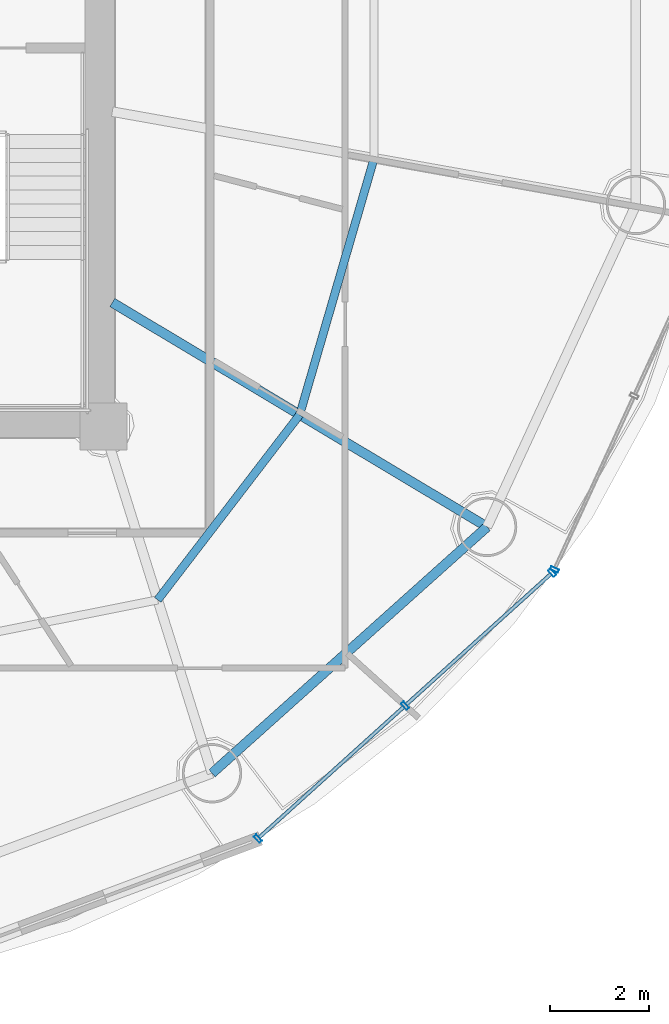
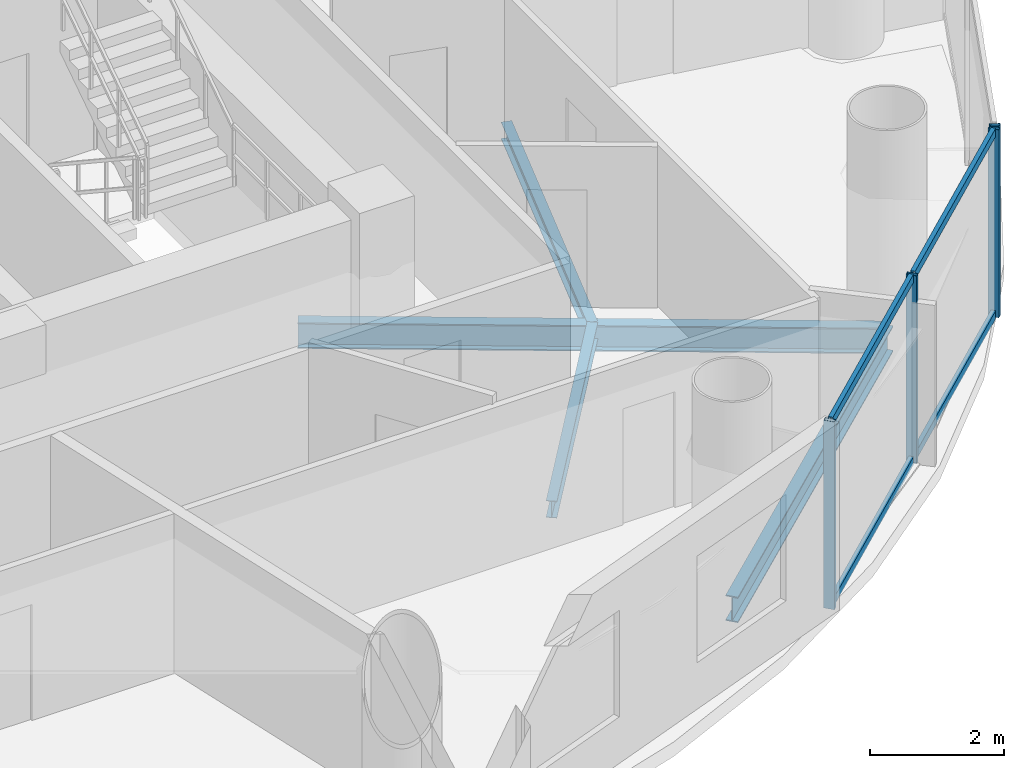
# One storey, part 10 of 27: 8 members, 4 beams, 2 elements without a shape of their own.
"""IFC4 building model written with IfcOpenShell, lengths in metres."""

from ifc_helpers import new_model, si_unit, direction, frame, origin, origin_2d, place, context, subcontext, project, spatial, hollow_rectangle, i_section, extrude, source, transform, mapped, material, material_profile, profile_set, type_object, element, aggregate, save


model = new_model("IFC4")

# Units and contexts
model_context = context("Model", 3, precision=1e-05, world=origin(), true_north=direction((-0.2419218956, 0.970295726276)))
body_context = subcontext(model_context, "Body", "Model", "MODEL_VIEW")
ifc_project = project(units=[si_unit("LENGTHUNIT", "METRE"), si_unit("AREAUNIT", "SQUARE_METRE"), si_unit("VOLUMEUNIT", "CUBIC_METRE"), si_unit("PLANEANGLEUNIT", "RADIAN"), si_unit("MASSUNIT", "GRAM", prefix="KILO")], contexts=[model_context])

# Site, building, storey
site_placement = place(None, origin())
site = spatial("IfcSite", under=ifc_project, at=site_placement, CompositionType="ELEMENT")
building_placement = place(site_placement, origin())
building = spatial("IfcBuilding", under=site, at=building_placement, Name="Cobrevalo Terracotta Tower", CompositionType="ELEMENT")
storey_placement = place(building_placement, frame((0.0, 0.0, 191.199951171875)))
storey = spatial("IfcBuildingStorey", under=building, at=storey_placement, Name="L50", CompositionType="ELEMENT", Elevation=191.199951171875)

# Beams
ifc_material_1 = material(Name="Steel S355", Category="steel")
ifc_material_profile_1 = material_profile(ifc_material_1, i_section(OverallWidth=0.194091796875, OverallDepth=0.468994140625, WebThickness=0.011474609375, FlangeThickness=0.0205078125, at=origin_2d()), Name="W 460x106")
ifc_profile_set_1 = profile_set([ifc_material_profile_1], Name="Steel S355")
beam_type_1 = type_object("IfcBeamType", Name="Structural Beam W 460x106 (Steel S355)", PredefinedType="BEAM", material=ifc_profile_set_1)
beam_1_placement = place(storey_placement, frame((54.754150390625, 16.77197265625, -0.49951171875), z_axis=(-0.858046392192, 0.513572184651, 0.0), x_axis=(-0.513572184651, -0.858046392192, 0.0)))
element("IfcBeam", 1, at=beam_1_placement, inside=storey, type_object=beam_type_1, Name="L50 radial floor girder 15", PredefinedType="BEAM", context=body_context, shape_type="SweptSolid", body=[
    extrude(i_section(OverallWidth=0.194091796875, OverallDepth=0.468994140625, WebThickness=0.011474609375, FlangeThickness=0.0205078125, at=origin_2d()), origin(), (0.0, 0.0, 1.0), 8.827392578125),
])
ifc_material_profile_2 = material_profile(ifc_material_1, i_section(OverallWidth=0.1650390625, OverallDepth=0.31005859375, WebThickness=0.005859375, FlangeThickness=0.009765625, at=origin_2d()), Name="W 310x38.7")
ifc_profile_set_2 = profile_set([ifc_material_profile_2], Name="Steel S355")
beam_type_2 = type_object("IfcBeamType", Name="Structural Joist W 310x38.7 (Steel S355)", PredefinedType="JOIST", material=ifc_profile_set_2)
beam_2_placement = place(storey_placement, frame((48.097412109375, 15.2958984375, -0.419921875), z_axis=(0.608464146296, 0.793581364872, 0.0), x_axis=(-0.793581364872, 0.608464146296, 0.0)))
element("IfcBeam", 2, at=beam_2_placement, inside=storey, type_object=beam_type_2, Name="L50 circumferential secondary floor joist 14", PredefinedType="JOIST", context=body_context, shape_type="SweptSolid", body=[
    extrude(i_section(OverallWidth=0.1650390625, OverallDepth=0.31005859375, WebThickness=0.005859375, FlangeThickness=0.009765625, at=origin_2d()), origin(), (0.0, 0.0, 1.0), 4.716064453125),
])
beam_3_placement = place(storey_placement, frame((50.967041015625, 19.03857421875, -0.419921875), z_axis=(0.278757705995, 0.960361463902, 0.0), x_axis=(-0.960361463902, 0.278757705995, 0.0)))
element("IfcBeam", 3, at=beam_3_placement, inside=storey, type_object=beam_type_2, Name="L50 circumferential secondary floor joist 15", PredefinedType="JOIST", context=body_context, shape_type="SweptSolid", body=[
    extrude(i_section(OverallWidth=0.1650390625, OverallDepth=0.31005859375, WebThickness=0.005859375, FlangeThickness=0.009765625, at=origin_2d()), origin(), (0.0, 0.0, 1.0), 5.396728515625),
])
ifc_material_profile_3 = material_profile(ifc_material_1, i_section(OverallWidth=0.194091796875, OverallDepth=0.468994140625, WebThickness=0.011474609375, FlangeThickness=0.0205078125, at=origin_2d()), Name="W 460x106")
ifc_profile_set_3 = profile_set([ifc_material_profile_3], Name="Steel S355")
beam_type_3 = type_object("IfcBeamType", Name="Structural Spandrel W 460x106 (Steel S355)", PredefinedType="SPANDREL", material=ifc_profile_set_3)
beam_4_placement = place(storey_placement, frame((49.19482421875, 11.7919921875, -0.49951171875), z_axis=(0.744851930997, 0.667229796165, 0.0), x_axis=(-0.667229796165, 0.744851930997, 0.0)))
element("IfcBeam", 4, at=beam_4_placement, inside=storey, type_object=beam_type_3, Name="L50 perimeter ring spandrel 14", PredefinedType="SPANDREL", context=body_context, shape_type="SweptSolid", body=[
    extrude(i_section(OverallWidth=0.194091796875, OverallDepth=0.468994140625, WebThickness=0.011474609375, FlangeThickness=0.0205078125, at=origin_2d()), origin(), (0.0, 0.0, 1.0), 7.463623046875),
])

# Curtain wall, members
ifc_material_2 = material(Name="Anodized aluminium", Category="aluminium")
curtain_wall_type = type_object("IfcCurtainWallType", Name="Mid-tower high-wind unitised curtain wall CW-U2", PredefinedType="NOTDEFINED", material=ifc_material_2)
curtain_wall_1_placement = place(storey_placement, origin())
curtain_wall_1 = element("IfcCurtainWall", 5, at=curtain_wall_1_placement, inside=storey, type_object=curtain_wall_type, Name="L50 curtain wall CW-L50-S14", PredefinedType="NOTDEFINED")
ifc_material_profile_4 = material_profile(ifc_material_2, hollow_rectangle(XDim=0.074951171875, YDim=0.14990234375, WallThickness=0.00439453125, at=origin_2d()), Name="CWT 75x150")
ifc_profile_set_4 = profile_set([ifc_material_profile_4], Name="Anodized aluminium")
member_type_1 = type_object("IfcMemberType", Name="Tower unitised aluminium transom 75x150", PredefinedType="USERDEFINED", material=ifc_profile_set_4)
shared_shape_1 = source(origin(), body_context, "Body", "SweptSolid", [
    extrude(hollow_rectangle(XDim=0.074951171875, YDim=0.14990234375, WallThickness=0.00439453125, at=origin_2d()), origin(), (0.0, 0.0, 1.0), 3.927490234375),
])
member_1_placement = place(storey_placement, frame((53.127685546875, 13.185302734375, 0.050048828125), z_axis=(0.741975952623, 0.670426495396, 0.0), x_axis=(-0.670426495396, 0.741975952623, 0.0)))
member_1 = element("IfcMember", 6, at=member_1_placement, type_object=member_type_1, Name="CW-L50-S14 transom B02-T1", ObjectType="TRANSOM", PredefinedType="USERDEFINED", context=body_context, shape_type="MappedRepresentation", body=[
    mapped(shared_shape_1, transform((0.0, 0.0, 0.0), scale=1.0)),
])
member_2_placement = place(storey_placement, frame((53.127685546875, 13.185302734375, 3.385009765625), z_axis=(0.741975952623, 0.670426495396, 0.0), x_axis=(-0.670426495396, 0.741975952623, 0.0)))
member_2 = element("IfcMember", 7, at=member_2_placement, type_object=member_type_1, Name="CW-L50-S14 transom B02-T2", ObjectType="TRANSOM", PredefinedType="USERDEFINED", context=body_context, shape_type="MappedRepresentation", body=[
    mapped(shared_shape_1, transform((0.0, 0.0, 0.0), scale=1.0)),
])
shared_shape_2 = source(origin(), body_context, "Body", "SweptSolid", [
    extrude(hollow_rectangle(XDim=0.074951171875, YDim=0.14990234375, WallThickness=0.00439453125, at=origin_2d()), origin(), (0.0, 0.0, 1.0), 3.927734375),
])
member_3_placement = place(storey_placement, frame((50.154052734375, 10.49853515625, 0.050048828125), z_axis=(0.742003891138, 0.670395573923, 0.0), x_axis=(-0.670395573923, 0.742003891138, 0.0)))
member_3 = element("IfcMember", 8, at=member_3_placement, type_object=member_type_1, Name="CW-L50-S14 transom B01-T1", ObjectType="TRANSOM", PredefinedType="USERDEFINED", context=body_context, shape_type="MappedRepresentation", body=[
    mapped(shared_shape_2, transform((0.0, 0.0, 0.0), scale=1.0)),
])
member_4_placement = place(storey_placement, frame((50.154052734375, 10.49853515625, 3.385009765625), z_axis=(0.742003891138, 0.670395573923, 0.0), x_axis=(-0.670395573923, 0.742003891138, 0.0)))
member_4 = element("IfcMember", 9, at=member_4_placement, type_object=member_type_1, Name="CW-L50-S14 transom B01-T2", ObjectType="TRANSOM", PredefinedType="USERDEFINED", context=body_context, shape_type="MappedRepresentation", body=[
    mapped(shared_shape_2, transform((0.0, 0.0, 0.0), scale=1.0)),
])
ifc_material_profile_5 = material_profile(ifc_material_2, hollow_rectangle(XDim=0.070068359375, YDim=0.169921875, WallThickness=0.00439453125, at=origin_2d()), Name="CWM 70x170")
ifc_profile_set_5 = profile_set([ifc_material_profile_5], Name="Anodized aluminium")
member_type_2 = type_object("IfcMemberType", Name="Upper tower unitised mullion 70x170", PredefinedType="MULLION", material=ifc_profile_set_5)
shared_shape_3 = source(origin(), body_context, "Body", "SweptSolid", [
    extrude(hollow_rectangle(XDim=0.070068359375, YDim=0.169921875, WallThickness=0.00439453125, at=origin_2d()), origin(), (0.0, 0.0, 1.0), 3.43505859375),
])
member_5_placement = place(storey_placement, frame((50.12451171875, 10.471923828125, 0.0), z_axis=(0.0, 0.0, 1.0), x_axis=(0.741987542015, 0.670413668935, 0.0)))
member_5 = element("IfcMember", 10, at=member_5_placement, type_object=member_type_2, Name="CW-L50-S14 vertical mullion 01", PredefinedType="MULLION", context=body_context, shape_type="MappedRepresentation", body=[
    mapped(shared_shape_3, transform((0.0, 0.0, 0.0), scale=1.0)),
])
member_6_placement = place(storey_placement, frame((53.097900390625, 13.158447265625, 0.0), z_axis=(0.0, 0.0, 1.0), x_axis=(0.741987542015, 0.670413668935, 0.0)))
member_6 = element("IfcMember", 11, at=member_6_placement, type_object=member_type_2, Name="CW-L50-S14 vertical mullion 02", PredefinedType="MULLION", context=body_context, shape_type="MappedRepresentation", body=[
    mapped(shared_shape_3, transform((0.0, 0.0, 0.0), scale=1.0)),
])
member_7_placement = place(storey_placement, frame((56.071533203125, 15.84521484375, 0.0), z_axis=(0.0, 0.0, 1.0), x_axis=(0.741987542015, 0.670413668935, 0.0)))
member_7 = element("IfcMember", 12, at=member_7_placement, type_object=member_type_2, Name="CW-L50-S14 vertical mullion 03", PredefinedType="MULLION", context=body_context, shape_type="MappedRepresentation", body=[
    mapped(shared_shape_3, transform((0.0, 0.0, 0.0), scale=1.0)),
])
aggregate(curtain_wall_1, [member_5, member_6, member_7, member_3, member_4, member_1, member_2])

# Curtain wall, member
curtain_wall_2_placement = place(storey_placement, origin())
curtain_wall_2 = element("IfcCurtainWall", 13, at=curtain_wall_2_placement, inside=storey, type_object=curtain_wall_type, Name="L50 curtain wall CW-L50-S15", PredefinedType="NOTDEFINED")
member_8_placement = place(storey_placement, frame((56.11767578125, 15.908203125, 0.0), z_axis=(0.0, 0.0, 1.0), x_axis=(0.41672507912, 0.909032567311, 0.0)))
member_8 = element("IfcMember", 14, at=member_8_placement, type_object=member_type_2, Name="CW-L50-S15 vertical mullion 01", PredefinedType="MULLION", context=body_context, shape_type="MappedRepresentation", body=[
    mapped(shared_shape_3, transform((0.0, 0.0, 0.0), scale=1.0)),
])
aggregate(curtain_wall_2, [member_8])

save(model, "model.ifc")
